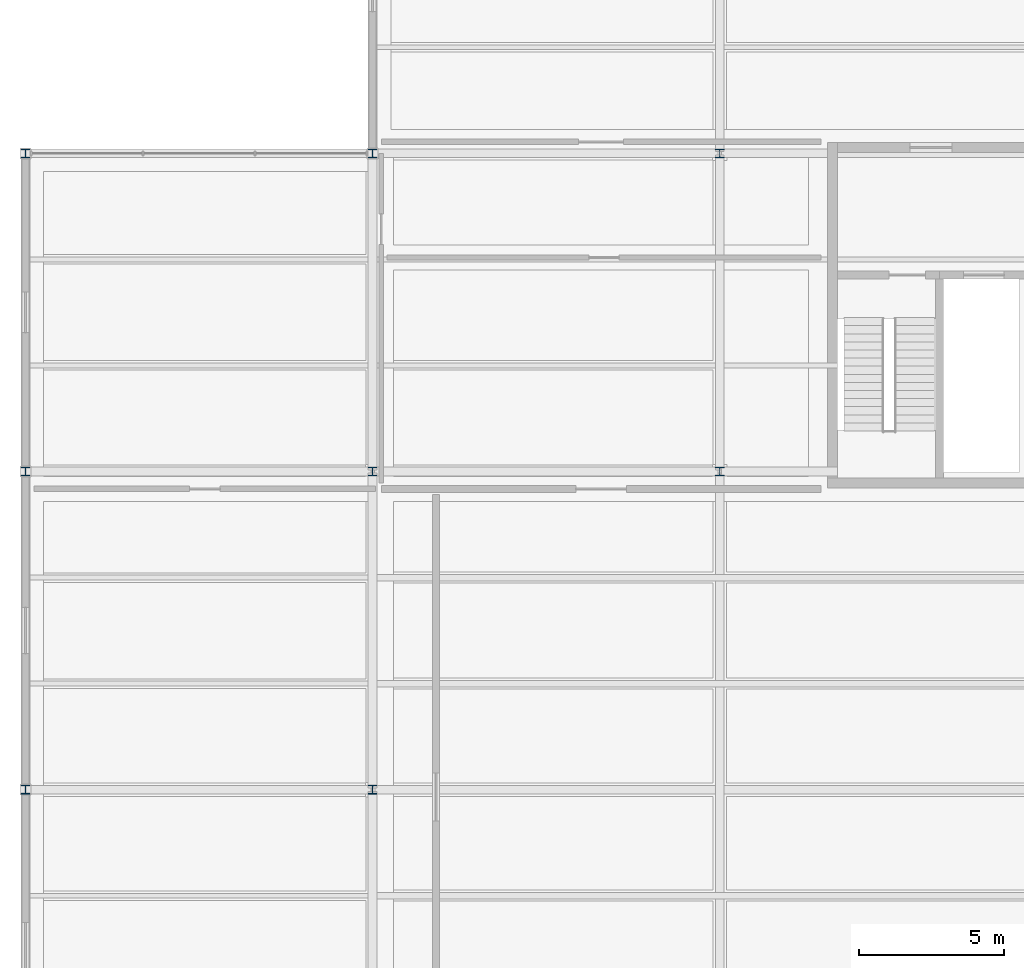
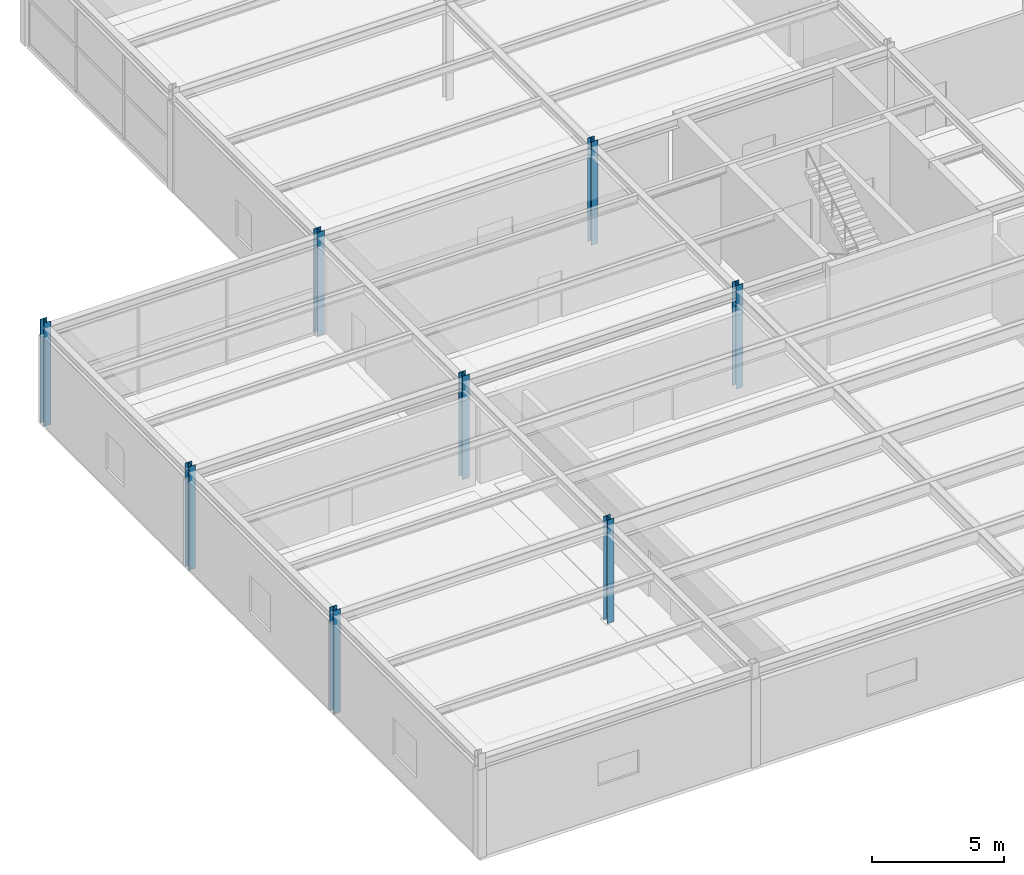
# One storey, part 9 of 108: 8 columns.
"""IFC4 building model written with IfcOpenShell, lengths in metres."""

from ifc_helpers import new_model, si_unit, direction, frame, origin, origin_2d, place, context, subcontext, project, spatial, i_section, extrude, material, material_profile, profile_set, type_object, element, save


model = new_model("IFC4")

# Units and contexts
model_context = context("Model", 3, precision=1e-05, world=origin(), true_north=direction((0.0, 1.0)))
body_context = subcontext(model_context, "Body", "Model", "MODEL_VIEW")
ifc_project = project(units=[si_unit("LENGTHUNIT", "METRE"), si_unit("AREAUNIT", "SQUARE_METRE"), si_unit("VOLUMEUNIT", "CUBIC_METRE"), si_unit("PLANEANGLEUNIT", "RADIAN"), si_unit("MASSUNIT", "GRAM", prefix="KILO")], contexts=[model_context])

# Site, building, storey
site_placement = place(None, origin())
site = spatial("IfcSite", under=ifc_project, at=site_placement, CompositionType="ELEMENT")
building_placement = place(site_placement, origin())
building = spatial("IfcBuilding", under=site, at=building_placement, Name="Tarnveldt Headland Concert Hall", CompositionType="ELEMENT")
storey_placement = place(building_placement, frame((0.0, 0.0, 9.60009765625)))
storey = spatial("IfcBuildingStorey", under=building, at=storey_placement, Name="L02", CompositionType="ELEMENT", Elevation=9.60009765625)

# Columns
ifc_material = material(Name="Steel S355", Category="steel")
ifc_material_profile = material_profile(ifc_material, i_section(OverallWidth=0.300048828125, OverallDepth=0.300048828125, WebThickness=0.010986328125, FlangeThickness=0.01904296875, FilletRadius=0.027099609375, at=origin_2d()), Name="HEB300", Category="steel")
ifc_profile_set = profile_set([ifc_material_profile], Name="Steel S355")
column_type = type_object("IfcColumnType", Name="SC-HEB300", PredefinedType="COLUMN", material=ifc_profile_set)
for number, where, z_axis, x_axis, name in (
    (1, (7.5, 71.0, 0.0), (0.0, 0.0, 1.0), (1.0, 0.0, 0.0), "Column V5C02 L02"),
    (2, (7.5, 82.0, 0.0), (0.0, 0.0, 1.0), (1.0, 0.0, 0.0), "Column V5C03 L02"),
    (3, (7.5, 93.0, 0.0), (0.0, 0.0, 1.0), (1.0, 0.0, 0.0), "Column V5C04 L02"),
    (4, (19.5, 71.0, 0.0), (0.0, 0.0, 1.0), (1.0, 0.0, 0.0), "Column V5C06 L02"),
    (5, (19.5, 82.0, 0.0), (0.0, 0.0, 1.0), (1.0, 0.0, 0.0), "Column V5C07 L02"),
    (6, (19.5, 93.0, 0.0), (0.0, 0.0, 1.0), (1.0, 0.0, 0.0), "Column V5C08 L02"),
    (7, (31.5, 82.0, 0.0), (0.0, 0.0, 1.0), (1.0, 0.0, 0.0), "Column V5C12 L02"),
    (8, (31.5, 93.0, 0.0), (0.0, 0.0, 1.0), (1.0, 0.0, 0.0), "Column V5C13 L02"),
):
    element("IfcColumn", number, at=place(storey_placement, frame(where, z_axis=z_axis, x_axis=x_axis)), inside=storey, type_object=column_type, Name=name, PredefinedType="COLUMN", context=body_context, shape_type="SweptSolid", body=[
        extrude(i_section(OverallWidth=0.300048828125, OverallDepth=0.300048828125, WebThickness=0.010986328125, FlangeThickness=0.01904296875, FilletRadius=0.027099609375, at=origin_2d()), origin(), (0.0, 0.0, 1.0), 4.7998046875),
    ])

save(model, "model.ifc")
